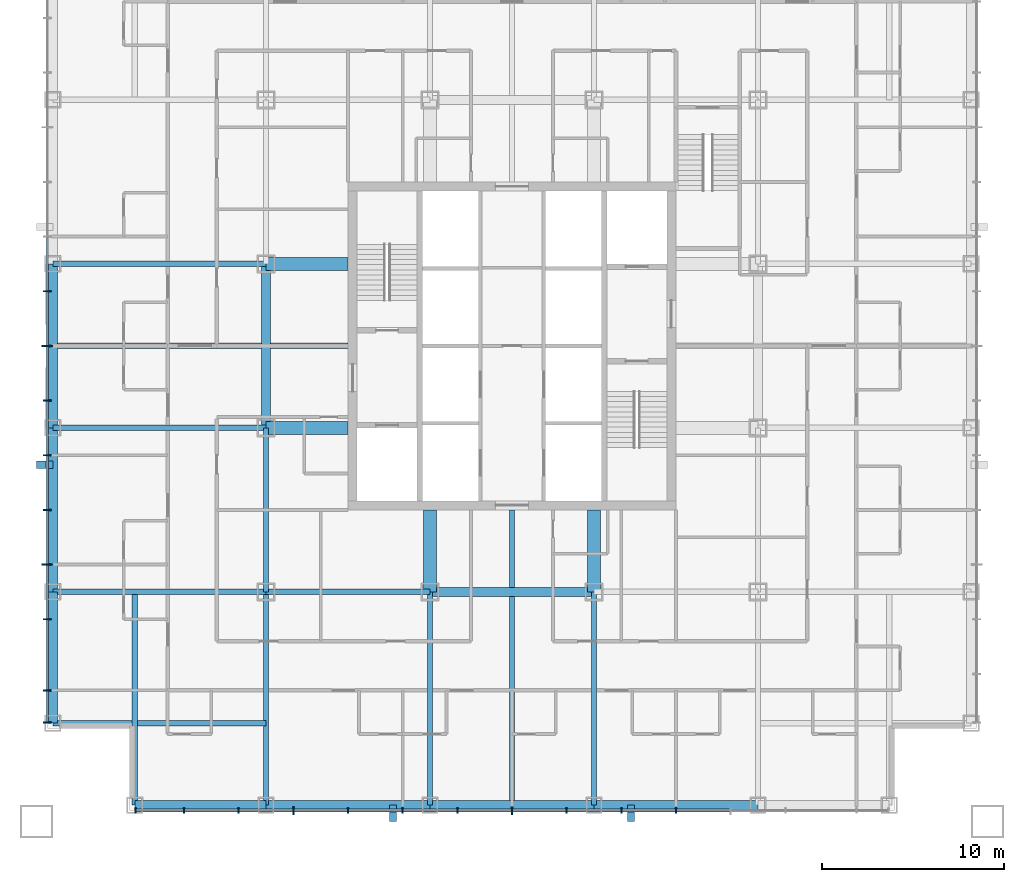
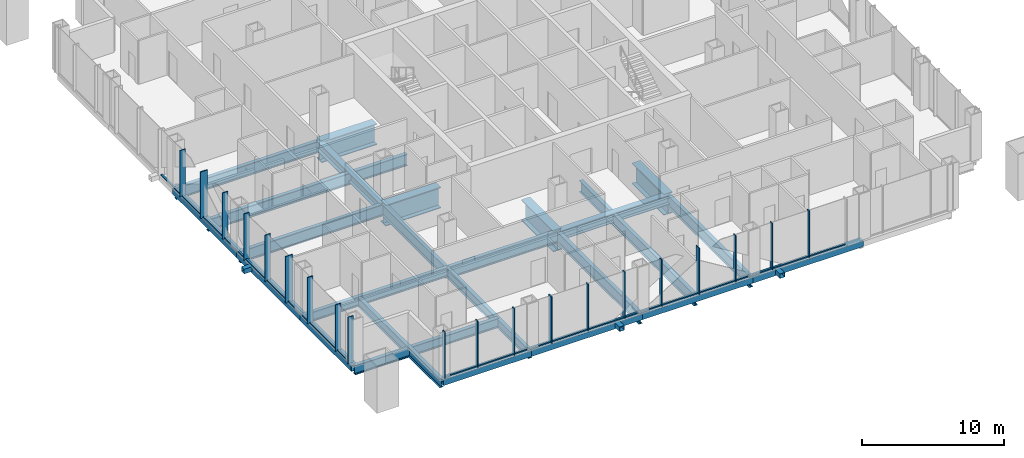
# One storey, part 2 of 13: 43 members, 25 beams, 2 elements without a shape of their own.
"""IFC4 building model written with IfcOpenShell, lengths in metres."""

from ifc_helpers import new_model, si_unit, direction, frame, origin, origin_2d, place, context, subcontext, project, spatial, rectangle, hollow_rectangle, i_section, extrude, material, layer, layer_set, material_profile, profile_set, type_object, element, aggregate, save


model = new_model("IFC4")

# Units and contexts
model_context = context("Model", 3, precision=1e-05, world=origin(), true_north=direction((0.0, 1.0)))
body_context = subcontext(model_context, "Body", "Model", "MODEL_VIEW")
ifc_project = project(units=[si_unit("LENGTHUNIT", "METRE"), si_unit("AREAUNIT", "SQUARE_METRE"), si_unit("VOLUMEUNIT", "CUBIC_METRE"), si_unit("PLANEANGLEUNIT", "RADIAN"), si_unit("MASSUNIT", "GRAM", prefix="KILO")], contexts=[model_context])

# Site, building, storey
site_placement = place(None, origin())
site = spatial("IfcSite", under=ifc_project, at=site_placement, CompositionType="ELEMENT")
building_placement = place(site_placement, origin())
building = spatial("IfcBuilding", under=site, at=building_placement, Name="Malebo Sky Hospital", CompositionType="ELEMENT")
storey_placement = place(building_placement, frame((0.0, 0.0, 75.0)))
storey = spatial("IfcBuildingStorey", under=building, at=storey_placement, Name="L17", CompositionType="ELEMENT", Elevation=75.0)

# Curtain wall, members
ifc_material_1 = material(Name="Anodised aluminium, natural silver", Category="aluminium")
ifc_layer_1 = layer(ifc_material_1, 0.25)
ifc_layer_set_1 = layer_set([ifc_layer_1], Name="WARD CURTAIN WALL EAST AND WEST")
curtain_wall_type_1 = type_object("IfcCurtainWallType", Name="WARD CURTAIN WALL EAST AND WEST", PredefinedType="NOTDEFINED", material=ifc_layer_set_1)
curtain_wall_1_placement = place(storey_placement, origin())
curtain_wall_1 = element("IfcCurtainWall", 1, at=curtain_wall_1_placement, inside=storey, type_object=curtain_wall_type_1, Name="EW curtain wall W", PredefinedType="NOTDEFINED")
ifc_material_profile_1 = material_profile(ifc_material_1, rectangle(XDim=0.14990234375, YDim=0.10009765625, at=origin_2d()), Name="ALUMINIUM TRANSOM 150x100")
ifc_profile_set_1 = profile_set([ifc_material_profile_1], Name="Anodised aluminium, natural silver")
member_type_1 = type_object("IfcMemberType", Name="ALUMINIUM TRANSOM 150x100", PredefinedType="USERDEFINED", material=ifc_profile_set_1)
member_1_placement = place(storey_placement, frame((34.5, 41.375, 0.050048828125), z_axis=(0.0, 1.0, 0.0), x_axis=(-1.0, 0.0, 0.0)))
member_1 = element("IfcMember", 2, at=member_1_placement, type_object=member_type_1, Name="Transom 1", ObjectType="TRANSOM", PredefinedType="USERDEFINED", context=body_context, shape_type="SweptSolid", body=[
    extrude(rectangle(XDim=0.14990234375, YDim=0.10009765625, at=origin_2d()), origin(), (0.0, 0.0, 1.0), 1.6875),
])
member_2_placement = place(storey_placement, frame((34.5, 43.137451171875, 0.050048828125), z_axis=(0.0, 1.0, 0.0), x_axis=(-1.0, 0.0, 0.0)))
member_2 = element("IfcMember", 3, at=member_2_placement, type_object=member_type_1, Name="Transom 2", ObjectType="TRANSOM", PredefinedType="USERDEFINED", context=body_context, shape_type="SweptSolid", body=[
    extrude(rectangle(XDim=0.14990234375, YDim=0.10009765625, at=origin_2d()), origin(), (0.0, 0.0, 1.0), 3.824951171875),
])
member_3_placement = place(storey_placement, frame((34.5, 47.03759765625, 0.050048828125), z_axis=(0.0, 1.0, 0.0), x_axis=(-1.0, 0.0, 0.0)))
member_3 = element("IfcMember", 4, at=member_3_placement, type_object=member_type_1, Name="Transom 3", ObjectType="TRANSOM", PredefinedType="USERDEFINED", context=body_context, shape_type="SweptSolid", body=[
    extrude(rectangle(XDim=0.14990234375, YDim=0.10009765625, at=origin_2d()), origin(), (0.0, 0.0, 1.0), 2.9248046875),
])
member_4_placement = place(storey_placement, frame((34.5, 50.03759765625, 0.050048828125), z_axis=(0.0, 1.0, 0.0), x_axis=(-1.0, 0.0, 0.0)))
member_4 = element("IfcMember", 5, at=member_4_placement, type_object=member_type_1, Name="Transom 4", ObjectType="TRANSOM", PredefinedType="USERDEFINED", context=body_context, shape_type="SweptSolid", body=[
    extrude(rectangle(XDim=0.14990234375, YDim=0.10009765625, at=origin_2d()), origin(), (0.0, 0.0, 1.0), 2.9248046875),
])
member_5_placement = place(storey_placement, frame((34.5, 53.03759765625, 0.050048828125), z_axis=(0.0, 1.0, 0.0), x_axis=(-1.0, 0.0, 0.0)))
member_5 = element("IfcMember", 6, at=member_5_placement, type_object=member_type_1, Name="Transom 5", ObjectType="TRANSOM", PredefinedType="USERDEFINED", context=body_context, shape_type="SweptSolid", body=[
    extrude(rectangle(XDim=0.14990234375, YDim=0.10009765625, at=origin_2d()), origin(), (0.0, 0.0, 1.0), 2.9248046875),
])
member_6_placement = place(storey_placement, frame((34.5, 56.03759765625, 0.050048828125), z_axis=(0.0, 1.0, 0.0), x_axis=(-1.0, 0.0, 0.0)))
member_6 = element("IfcMember", 7, at=member_6_placement, type_object=member_type_1, Name="Transom 6", ObjectType="TRANSOM", PredefinedType="USERDEFINED", context=body_context, shape_type="SweptSolid", body=[
    extrude(rectangle(XDim=0.14990234375, YDim=0.10009765625, at=origin_2d()), origin(), (0.0, 0.0, 1.0), 2.9248046875),
])
member_7_placement = place(storey_placement, frame((34.5, 59.03759765625, 0.050048828125), z_axis=(0.0, 1.0, 0.0), x_axis=(-1.0, 0.0, 0.0)))
member_7 = element("IfcMember", 8, at=member_7_placement, type_object=member_type_1, Name="Transom 7", ObjectType="TRANSOM", PredefinedType="USERDEFINED", context=body_context, shape_type="SweptSolid", body=[
    extrude(rectangle(XDim=0.14990234375, YDim=0.10009765625, at=origin_2d()), origin(), (0.0, 0.0, 1.0), 2.9248046875),
])
member_8_placement = place(storey_placement, frame((34.5, 62.03759765625, 0.050048828125), z_axis=(0.0, 1.0, 0.0), x_axis=(-1.0, 0.0, 0.0)))
member_8 = element("IfcMember", 9, at=member_8_placement, type_object=member_type_1, Name="Transom 8", ObjectType="TRANSOM", PredefinedType="USERDEFINED", context=body_context, shape_type="SweptSolid", body=[
    extrude(rectangle(XDim=0.14990234375, YDim=0.10009765625, at=origin_2d()), origin(), (0.0, 0.0, 1.0), 2.9248046875),
])
member_9_placement = place(storey_placement, frame((34.5, 65.03759765625, 0.050048828125), z_axis=(0.0, 1.0, 0.0), x_axis=(-1.0, 0.0, 0.0)))
member_9 = element("IfcMember", 10, at=member_9_placement, type_object=member_type_1, Name="Transom 9", ObjectType="TRANSOM", PredefinedType="USERDEFINED", context=body_context, shape_type="SweptSolid", body=[
    extrude(rectangle(XDim=0.14990234375, YDim=0.10009765625, at=origin_2d()), origin(), (0.0, 0.0, 1.0), 2.9248046875),
])

ifc_layer_2 = layer(ifc_material_1, 0.25)
ifc_layer_set_2 = layer_set([ifc_layer_2], Name="WARD CURTAIN WALL NORTH AND SOUTH")
curtain_wall_type_2 = type_object("IfcCurtainWallType", Name="WARD CURTAIN WALL NORTH AND SOUTH", PredefinedType="NOTDEFINED", material=ifc_layer_set_2)
curtain_wall_2_placement = place(storey_placement, origin())
curtain_wall_2 = element("IfcCurtainWall", 11, at=curtain_wall_2_placement, inside=storey, type_object=curtain_wall_type_2, Name="NS curtain wall S", PredefinedType="NOTDEFINED")
member_10_placement = place(storey_placement, frame((71.96240234375, 36.5, 0.050048828125), z_axis=(-1.0, 0.0, 0.0), x_axis=(0.0, -1.0, 0.0)))
member_10 = element("IfcMember", 12, at=member_10_placement, type_object=member_type_1, Name="Transom 4", ObjectType="TRANSOM", PredefinedType="USERDEFINED", context=body_context, shape_type="SweptSolid", body=[
    extrude(rectangle(XDim=0.14990234375, YDim=0.10009765625, at=origin_2d()), origin(), (0.0, 0.0, 1.0), 2.9248046875),
])
member_11_placement = place(storey_placement, frame((68.96240234375, 36.5, 0.050048828125), z_axis=(-1.0, 0.0, 0.0), x_axis=(0.0, -1.0, 0.0)))
member_11 = element("IfcMember", 13, at=member_11_placement, type_object=member_type_1, Name="Transom 5", ObjectType="TRANSOM", PredefinedType="USERDEFINED", context=body_context, shape_type="SweptSolid", body=[
    extrude(rectangle(XDim=0.14990234375, YDim=0.10009765625, at=origin_2d()), origin(), (0.0, 0.0, 1.0), 2.9248046875),
])
member_12_placement = place(storey_placement, frame((65.96240234375, 36.5, 0.050048828125), z_axis=(-1.0, 0.0, 0.0), x_axis=(0.0, -1.0, 0.0)))
member_12 = element("IfcMember", 14, at=member_12_placement, type_object=member_type_1, Name="Transom 6", ObjectType="TRANSOM", PredefinedType="USERDEFINED", context=body_context, shape_type="SweptSolid", body=[
    extrude(rectangle(XDim=0.14990234375, YDim=0.10009765625, at=origin_2d()), origin(), (0.0, 0.0, 1.0), 2.9248046875),
])
member_13_placement = place(storey_placement, frame((62.96240234375, 36.5, 0.050048828125), z_axis=(-1.0, 0.0, 0.0), x_axis=(0.0, -1.0, 0.0)))
member_13 = element("IfcMember", 15, at=member_13_placement, type_object=member_type_1, Name="Transom 7", ObjectType="TRANSOM", PredefinedType="USERDEFINED", context=body_context, shape_type="SweptSolid", body=[
    extrude(rectangle(XDim=0.14990234375, YDim=0.10009765625, at=origin_2d()), origin(), (0.0, 0.0, 1.0), 2.9248046875),
])
member_14_placement = place(storey_placement, frame((59.96240234375, 36.5, 0.050048828125), z_axis=(-1.0, 0.0, 0.0), x_axis=(0.0, -1.0, 0.0)))
member_14 = element("IfcMember", 16, at=member_14_placement, type_object=member_type_1, Name="Transom 8", ObjectType="TRANSOM", PredefinedType="USERDEFINED", context=body_context, shape_type="SweptSolid", body=[
    extrude(rectangle(XDim=0.14990234375, YDim=0.10009765625, at=origin_2d()), origin(), (0.0, 0.0, 1.0), 2.9248046875),
])
member_15_placement = place(storey_placement, frame((56.96240234375, 36.5, 0.050048828125), z_axis=(-1.0, 0.0, 0.0), x_axis=(0.0, -1.0, 0.0)))
member_15 = element("IfcMember", 17, at=member_15_placement, type_object=member_type_1, Name="Transom 9", ObjectType="TRANSOM", PredefinedType="USERDEFINED", context=body_context, shape_type="SweptSolid", body=[
    extrude(rectangle(XDim=0.14990234375, YDim=0.10009765625, at=origin_2d()), origin(), (0.0, 0.0, 1.0), 2.9248046875),
])
member_16_placement = place(storey_placement, frame((53.96240234375, 36.5, 0.050048828125), z_axis=(-1.0, 0.0, 0.0), x_axis=(0.0, -1.0, 0.0)))
member_16 = element("IfcMember", 18, at=member_16_placement, type_object=member_type_1, Name="Transom 10", ObjectType="TRANSOM", PredefinedType="USERDEFINED", context=body_context, shape_type="SweptSolid", body=[
    extrude(rectangle(XDim=0.14990234375, YDim=0.10009765625, at=origin_2d()), origin(), (0.0, 0.0, 1.0), 2.9248046875),
])
member_17_placement = place(storey_placement, frame((50.96240234375, 36.5, 0.050048828125), z_axis=(-1.0, 0.0, 0.0), x_axis=(0.0, -1.0, 0.0)))
member_17 = element("IfcMember", 19, at=member_17_placement, type_object=member_type_1, Name="Transom 11", ObjectType="TRANSOM", PredefinedType="USERDEFINED", context=body_context, shape_type="SweptSolid", body=[
    extrude(rectangle(XDim=0.14990234375, YDim=0.10009765625, at=origin_2d()), origin(), (0.0, 0.0, 1.0), 2.9248046875),
])
member_18_placement = place(storey_placement, frame((47.96240234375, 36.5, 0.050048828125), z_axis=(-1.0, 0.0, 0.0), x_axis=(0.0, -1.0, 0.0)))
member_18 = element("IfcMember", 20, at=member_18_placement, type_object=member_type_1, Name="Transom 12", ObjectType="TRANSOM", PredefinedType="USERDEFINED", context=body_context, shape_type="SweptSolid", body=[
    extrude(rectangle(XDim=0.14990234375, YDim=0.10009765625, at=origin_2d()), origin(), (0.0, 0.0, 1.0), 2.9248046875),
])
member_19_placement = place(storey_placement, frame((44.96240234375, 36.5, 0.050048828125), z_axis=(-1.0, 0.0, 0.0), x_axis=(0.0, -1.0, 0.0)))
member_19 = element("IfcMember", 21, at=member_19_placement, type_object=member_type_1, Name="Transom 13", ObjectType="TRANSOM", PredefinedType="USERDEFINED", context=body_context, shape_type="SweptSolid", body=[
    extrude(rectangle(XDim=0.14990234375, YDim=0.10009765625, at=origin_2d()), origin(), (0.0, 0.0, 1.0), 2.9248046875),
])
member_20_placement = place(storey_placement, frame((41.96240234375, 36.5, 0.050048828125), z_axis=(-1.0, 0.0, 0.0), x_axis=(0.0, -1.0, 0.0)))
member_20 = element("IfcMember", 22, at=member_20_placement, type_object=member_type_1, Name="Transom 14", ObjectType="TRANSOM", PredefinedType="USERDEFINED", context=body_context, shape_type="SweptSolid", body=[
    extrude(rectangle(XDim=0.14990234375, YDim=0.10009765625, at=origin_2d()), origin(), (0.0, 0.0, 1.0), 2.58740234375),
])

# Members
ifc_material_2 = material(Name="Steel S355", Category="steel")
ifc_material_profile_2 = material_profile(ifc_material_2, hollow_rectangle(XDim=0.39990234375, YDim=0.39990234375, WallThickness=0.02001953125, at=origin_2d()), Name="SHS 400x20")
ifc_profile_set_2 = profile_set([ifc_material_profile_2], Name="Steel S355")
member_type_2 = type_object("IfcMemberType", Name="BRACE STRUT SHS 400x20", PredefinedType="STRUT", material=ifc_profile_set_2)
for number, where, z_axis, x_axis, name in (
    (23, (53.47509765625, 35.89990234375, -0.39990234375), (0.0, 1.0, 0.0), (-1.0, 0.0, 0.0), "Brace strut AS1 L17"),
    (24, (66.52490234375, 35.89990234375, -0.39990234375), (0.0, 1.0, 0.0), (-1.0, 0.0, 0.0), "Brace strut AS2 L17"),
    (25, (33.89990234375, 55.47509765625, -0.39990234375), (1.0, 0.0, 0.0), (0.0, 1.0, 0.0), "Brace strut AW2 L17"),
):
    element("IfcMember", number, at=place(storey_placement, frame(where, z_axis=z_axis, x_axis=x_axis)), inside=storey, type_object=member_type_2, Name=name, PredefinedType="STRUT", context=body_context, shape_type="SweptSolid", body=[
        extrude(hollow_rectangle(XDim=0.39990234375, YDim=0.39990234375, WallThickness=0.02001953125, at=origin_2d()), origin(), (0.0, 0.0, 1.0), 0.900146484375),
    ])

# Member
ifc_material_profile_3 = material_profile(ifc_material_1, rectangle(XDim=0.074951171875, YDim=0.300048828125, at=origin_2d()), Name="CW1 ALUMINIUM FIN MULLION 75x300")
ifc_profile_set_3 = profile_set([ifc_material_profile_3], Name="Anodised aluminium, natural silver")
member_type_3 = type_object("IfcMemberType", Name="CW1 ALUMINIUM FIN MULLION 75x300", PredefinedType="MULLION", material=ifc_profile_set_3)
member_21_placement = place(storey_placement, frame((69.0, 36.5, 0.0), z_axis=(0.0, 0.0, 1.0), x_axis=(-1.0, 0.0, 0.0)))
member_21 = element("IfcMember", 26, at=member_21_placement, type_object=member_type_3, Name="Fin mullion 5", PredefinedType="MULLION", context=body_context, shape_type="SweptSolid", body=[
    extrude(rectangle(XDim=0.074951171875, YDim=0.300048828125, at=origin_2d()), origin(), (0.0, 0.0, 1.0), 4.0),
])

member_22_placement = place(storey_placement, frame((66.0, 36.5, 0.0), z_axis=(0.0, 0.0, 1.0), x_axis=(-1.0, 0.0, 0.0)))
member_22 = element("IfcMember", 27, at=member_22_placement, type_object=member_type_3, Name="Fin mullion 6", PredefinedType="MULLION", context=body_context, shape_type="SweptSolid", body=[
    extrude(rectangle(XDim=0.074951171875, YDim=0.300048828125, at=origin_2d()), origin(), (0.0, 0.0, 1.0), 4.0),
])

member_23_placement = place(storey_placement, frame((63.0, 36.5, 0.0), z_axis=(0.0, 0.0, 1.0), x_axis=(-1.0, 0.0, 0.0)))
member_23 = element("IfcMember", 28, at=member_23_placement, type_object=member_type_3, Name="Fin mullion 7", PredefinedType="MULLION", context=body_context, shape_type="SweptSolid", body=[
    extrude(rectangle(XDim=0.074951171875, YDim=0.300048828125, at=origin_2d()), origin(), (0.0, 0.0, 1.0), 4.0),
])

member_24_placement = place(storey_placement, frame((57.0, 36.5, 0.0), z_axis=(0.0, 0.0, 1.0), x_axis=(-1.0, 0.0, 0.0)))
member_24 = element("IfcMember", 29, at=member_24_placement, type_object=member_type_3, Name="Fin mullion 9", PredefinedType="MULLION", context=body_context, shape_type="SweptSolid", body=[
    extrude(rectangle(XDim=0.074951171875, YDim=0.300048828125, at=origin_2d()), origin(), (0.0, 0.0, 1.0), 4.0),
])

member_25_placement = place(storey_placement, frame((54.0, 36.5, 0.0), z_axis=(0.0, 0.0, 1.0), x_axis=(-1.0, 0.0, 0.0)))
member_25 = element("IfcMember", 30, at=member_25_placement, type_object=member_type_3, Name="Fin mullion 10", PredefinedType="MULLION", context=body_context, shape_type="SweptSolid", body=[
    extrude(rectangle(XDim=0.074951171875, YDim=0.300048828125, at=origin_2d()), origin(), (0.0, 0.0, 1.0), 4.0),
])

member_26_placement = place(storey_placement, frame((51.0, 36.5, 0.0), z_axis=(0.0, 0.0, 1.0), x_axis=(-1.0, 0.0, 0.0)))
member_26 = element("IfcMember", 31, at=member_26_placement, type_object=member_type_3, Name="Fin mullion 11", PredefinedType="MULLION", context=body_context, shape_type="SweptSolid", body=[
    extrude(rectangle(XDim=0.074951171875, YDim=0.300048828125, at=origin_2d()), origin(), (0.0, 0.0, 1.0), 4.0),
])

member_27_placement = place(storey_placement, frame((45.0, 36.5, 0.0), z_axis=(0.0, 0.0, 1.0), x_axis=(-1.0, 0.0, 0.0)))
member_27 = element("IfcMember", 32, at=member_27_placement, type_object=member_type_3, Name="Fin mullion 13", PredefinedType="MULLION", context=body_context, shape_type="SweptSolid", body=[
    extrude(rectangle(XDim=0.074951171875, YDim=0.300048828125, at=origin_2d()), origin(), (0.0, 0.0, 1.0), 4.0),
])

member_28_placement = place(storey_placement, frame((42.0, 36.5, 0.0), z_axis=(0.0, 0.0, 1.0), x_axis=(-1.0, 0.0, 0.0)))
member_28 = element("IfcMember", 33, at=member_28_placement, type_object=member_type_3, Name="Fin mullion 14", PredefinedType="MULLION", context=body_context, shape_type="SweptSolid", body=[
    extrude(rectangle(XDim=0.074951171875, YDim=0.300048828125, at=origin_2d()), origin(), (0.0, 0.0, 1.0), 4.0),
])

member_29_placement = place(storey_placement, frame((39.33740234375, 36.5, 0.0), z_axis=(0.0, 0.0, 1.0), x_axis=(-1.0, 0.0, 0.0)))
member_29 = element("IfcMember", 34, at=member_29_placement, type_object=member_type_3, Name="Fin mullion 15", PredefinedType="MULLION", context=body_context, shape_type="SweptSolid", body=[
    extrude(rectangle(XDim=0.074951171875, YDim=0.300048828125, at=origin_2d()), origin(), (0.0, 0.0, 1.0), 4.0),
])

ifc_material_profile_4 = material_profile(ifc_material_1, rectangle(XDim=0.074951171875, YDim=0.449951171875, at=origin_2d()), Name="CW1 ALUMINIUM FIN MULLION 75x450")
ifc_profile_set_4 = profile_set([ifc_material_profile_4], Name="Anodised aluminium, natural silver")
member_type_4 = type_object("IfcMemberType", Name="CW1 ALUMINIUM FIN MULLION 75x450", PredefinedType="MULLION", material=ifc_profile_set_4)
member_30_placement = place(storey_placement, frame((60.0, 36.5, 0.0), z_axis=(0.0, 0.0, 1.0), x_axis=(-1.0, 0.0, 0.0)))
member_30 = element("IfcMember", 35, at=member_30_placement, type_object=member_type_4, Name="Fin mullion 8", PredefinedType="MULLION", context=body_context, shape_type="SweptSolid", body=[
    extrude(rectangle(XDim=0.074951171875, YDim=0.449951171875, at=origin_2d()), origin(), (0.0, 0.0, 1.0), 4.0),
])

member_31_placement = place(storey_placement, frame((48.0, 36.5, 0.0), z_axis=(0.0, 0.0, 1.0), x_axis=(-1.0, 0.0, 0.0)))
member_31 = element("IfcMember", 36, at=member_31_placement, type_object=member_type_4, Name="Fin mullion 12", PredefinedType="MULLION", context=body_context, shape_type="SweptSolid", body=[
    extrude(rectangle(XDim=0.074951171875, YDim=0.449951171875, at=origin_2d()), origin(), (0.0, 0.0, 1.0), 4.0),
])

aggregate(curtain_wall_2, [member_21, member_22, member_23, member_30, member_24, member_25, member_26, member_31, member_27, member_28, member_29, member_10, member_11, member_12, member_13, member_14, member_15, member_16, member_17, member_18, member_19, member_20])

ifc_material_profile_5 = material_profile(ifc_material_1, rectangle(XDim=0.074951171875, YDim=0.449951171875, at=origin_2d()), Name="CW2 ALUMINIUM FIN MULLION 75x450")
ifc_profile_set_5 = profile_set([ifc_material_profile_5], Name="Anodised aluminium, natural silver")
member_type_5 = type_object("IfcMemberType", Name="CW2 ALUMINIUM FIN MULLION 75x450", PredefinedType="MULLION", material=ifc_profile_set_5)
member_32_placement = place(storey_placement, frame((34.5, 41.33740234375, 0.0), z_axis=(0.0, 0.0, 1.0), x_axis=(0.0, 1.0, 0.0)))
member_32 = element("IfcMember", 37, at=member_32_placement, type_object=member_type_5, Name="Fin mullion 1", PredefinedType="MULLION", context=body_context, shape_type="SweptSolid", body=[
    extrude(rectangle(XDim=0.074951171875, YDim=0.449951171875, at=origin_2d()), origin(), (0.0, 0.0, 1.0), 4.0),
])

member_33_placement = place(storey_placement, frame((34.5, 43.10009765625, 0.0), z_axis=(0.0, 0.0, 1.0), x_axis=(0.0, 1.0, 0.0)))
member_33 = element("IfcMember", 38, at=member_33_placement, type_object=member_type_5, Name="Fin mullion 2", PredefinedType="MULLION", context=body_context, shape_type="SweptSolid", body=[
    extrude(rectangle(XDim=0.074951171875, YDim=0.449951171875, at=origin_2d()), origin(), (0.0, 0.0, 1.0), 4.0),
])

member_34_placement = place(storey_placement, frame((34.5, 47.0, 0.0), z_axis=(0.0, 0.0, 1.0), x_axis=(0.0, 1.0, 0.0)))
member_34 = element("IfcMember", 39, at=member_34_placement, type_object=member_type_5, Name="Fin mullion 3", PredefinedType="MULLION", context=body_context, shape_type="SweptSolid", body=[
    extrude(rectangle(XDim=0.074951171875, YDim=0.449951171875, at=origin_2d()), origin(), (0.0, 0.0, 1.0), 4.0),
])

member_35_placement = place(storey_placement, frame((34.5, 53.0, 0.0), z_axis=(0.0, 0.0, 1.0), x_axis=(0.0, 1.0, 0.0)))
member_35 = element("IfcMember", 40, at=member_35_placement, type_object=member_type_5, Name="Fin mullion 5", PredefinedType="MULLION", context=body_context, shape_type="SweptSolid", body=[
    extrude(rectangle(XDim=0.074951171875, YDim=0.449951171875, at=origin_2d()), origin(), (0.0, 0.0, 1.0), 4.0),
])

member_36_placement = place(storey_placement, frame((34.5, 56.0, 0.0), z_axis=(0.0, 0.0, 1.0), x_axis=(0.0, 1.0, 0.0)))
member_36 = element("IfcMember", 41, at=member_36_placement, type_object=member_type_5, Name="Fin mullion 6", PredefinedType="MULLION", context=body_context, shape_type="SweptSolid", body=[
    extrude(rectangle(XDim=0.074951171875, YDim=0.449951171875, at=origin_2d()), origin(), (0.0, 0.0, 1.0), 4.0),
])

member_37_placement = place(storey_placement, frame((34.5, 59.0, 0.0), z_axis=(0.0, 0.0, 1.0), x_axis=(0.0, 1.0, 0.0)))
member_37 = element("IfcMember", 42, at=member_37_placement, type_object=member_type_5, Name="Fin mullion 7", PredefinedType="MULLION", context=body_context, shape_type="SweptSolid", body=[
    extrude(rectangle(XDim=0.074951171875, YDim=0.449951171875, at=origin_2d()), origin(), (0.0, 0.0, 1.0), 4.0),
])

member_38_placement = place(storey_placement, frame((34.5, 65.0, 0.0), z_axis=(0.0, 0.0, 1.0), x_axis=(0.0, 1.0, 0.0)))
member_38 = element("IfcMember", 43, at=member_38_placement, type_object=member_type_5, Name="Fin mullion 9", PredefinedType="MULLION", context=body_context, shape_type="SweptSolid", body=[
    extrude(rectangle(XDim=0.074951171875, YDim=0.449951171875, at=origin_2d()), origin(), (0.0, 0.0, 1.0), 4.0),
])

ifc_material_profile_6 = material_profile(ifc_material_1, rectangle(XDim=0.074951171875, YDim=0.60009765625, at=origin_2d()), Name="CW2 ALUMINIUM FIN MULLION 75x600")
ifc_profile_set_6 = profile_set([ifc_material_profile_6], Name="Anodised aluminium, natural silver")
member_type_6 = type_object("IfcMemberType", Name="CW2 ALUMINIUM FIN MULLION 75x600", PredefinedType="MULLION", material=ifc_profile_set_6)
member_39_placement = place(storey_placement, frame((34.5, 50.0, 0.0), z_axis=(0.0, 0.0, 1.0), x_axis=(0.0, 1.0, 0.0)))
member_39 = element("IfcMember", 44, at=member_39_placement, type_object=member_type_6, Name="Fin mullion 4", PredefinedType="MULLION", context=body_context, shape_type="SweptSolid", body=[
    extrude(rectangle(XDim=0.074951171875, YDim=0.60009765625, at=origin_2d()), origin(), (0.0, 0.0, 1.0), 4.0),
])

member_40_placement = place(storey_placement, frame((34.5, 62.0, 0.0), z_axis=(0.0, 0.0, 1.0), x_axis=(0.0, 1.0, 0.0)))
member_40 = element("IfcMember", 45, at=member_40_placement, type_object=member_type_6, Name="Fin mullion 8", PredefinedType="MULLION", context=body_context, shape_type="SweptSolid", body=[
    extrude(rectangle(XDim=0.074951171875, YDim=0.60009765625, at=origin_2d()), origin(), (0.0, 0.0, 1.0), 4.0),
])

aggregate(curtain_wall_1, [member_32, member_33, member_34, member_39, member_35, member_36, member_37, member_40, member_38, member_1, member_2, member_3, member_4, member_5, member_6, member_7, member_8, member_9])

# Beams
ifc_material_3 = material(Name="Steel S460", Category="steel")
ifc_material_profile_7 = material_profile(ifc_material_3, hollow_rectangle(XDim=0.5, YDim=0.5, WallThickness=0.030029296875, at=origin_2d()), Name="BOX 500x500x30")
ifc_profile_set_7 = profile_set([ifc_material_profile_7], Name="Steel S460")
beam_type_1 = type_object("IfcBeamType", Name="EDGE BEAM BOX 500x500x30", PredefinedType="BEAM", material=ifc_profile_set_7)
beam_1_placement = place(storey_placement, frame((34.800048828125, 41.300048828125, -0.5), z_axis=(0.0, 1.0, 0.0), x_axis=(-1.0, 0.0, 0.0)))
element("IfcBeam", 46, at=beam_1_placement, inside=storey, type_object=beam_type_1, Name="Beam 000 L17", PredefinedType="BEAM", context=body_context, shape_type="SweptSolid", body=[
    extrude(hollow_rectangle(XDim=0.5, YDim=0.5, WallThickness=0.030029296875, at=origin_2d()), origin(), (0.0, 0.0, 1.0), 7.199951171875),
])
for number, where, z_axis, x_axis, name in (
    (47, (34.800048828125, 48.5, -0.5), (0.0, 1.0, 0.0), (-1.0, 0.0, 0.0), "Beam 001 L17"),
    (48, (34.800048828125, 57.5, -0.5), (0.0, 1.0, 0.0), (-1.0, 0.0, 0.0), "Beam 002 L17"),
):
    element("IfcBeam", number, at=place(storey_placement, frame(where, z_axis=z_axis, x_axis=x_axis)), inside=storey, type_object=beam_type_1, Name=name, PredefinedType="BEAM", context=body_context, shape_type="SweptSolid", body=[
        extrude(hollow_rectangle(XDim=0.5, YDim=0.5, WallThickness=0.030029296875, at=origin_2d()), origin(), (0.0, 0.0, 1.0), 9.0),
    ])
beam_2_placement = place(storey_placement, frame((39.300048828125, 36.800048828125, -0.5), z_axis=(1.0, 0.0, 0.0), x_axis=(0.0, 1.0, 0.0)))
element("IfcBeam", 49, at=beam_2_placement, inside=storey, type_object=beam_type_1, Name="Beam 034 L17", PredefinedType="BEAM", context=body_context, shape_type="SweptSolid", body=[
    extrude(hollow_rectangle(XDim=0.5, YDim=0.5, WallThickness=0.030029296875, at=origin_2d()), origin(), (0.0, 0.0, 1.0), 7.199951171875),
])
for number, where, z_axis, x_axis, name in (
    (50, (46.5, 36.800048828125, -0.5), (1.0, 0.0, 0.0), (0.0, 1.0, 0.0), "Beam 035 L17"),
    (51, (55.5, 36.800048828125, -0.5), (1.0, 0.0, 0.0), (0.0, 1.0, 0.0), "Beam 036 L17"),
    (52, (64.5, 36.800048828125, -0.5), (1.0, 0.0, 0.0), (0.0, 1.0, 0.0), "Beam 037 L17"),
):
    element("IfcBeam", number, at=place(storey_placement, frame(where, z_axis=z_axis, x_axis=x_axis)), inside=storey, type_object=beam_type_1, Name=name, PredefinedType="BEAM", context=body_context, shape_type="SweptSolid", body=[
        extrude(hollow_rectangle(XDim=0.5, YDim=0.5, WallThickness=0.030029296875, at=origin_2d()), origin(), (0.0, 0.0, 1.0), 9.0),
    ])
ifc_material_profile_8 = material_profile(ifc_material_2, i_section(OverallWidth=0.300048828125, OverallDepth=1.0, WebThickness=0.01904296875, FlangeThickness=0.035888671875, FilletRadius=0.030029296875, at=origin_2d()), Name="HEB 1000")
ifc_profile_set_8 = profile_set([ifc_material_profile_8], Name="Steel S355")
beam_type_2 = type_object("IfcBeamType", Name="FLOOR BEAM HEB 1000", PredefinedType="BEAM", material=ifc_profile_set_8)
beam_3_placement = place(storey_placement, frame((46.5, 48.5, -0.75), z_axis=(0.0, 1.0, 0.0), x_axis=(-1.0, 0.0, 0.0)))
element("IfcBeam", 53, at=beam_3_placement, inside=storey, type_object=beam_type_2, Name="Beam 008 L17", PredefinedType="BEAM", context=body_context, shape_type="SweptSolid", body=[
    extrude(i_section(OverallWidth=0.300048828125, OverallDepth=1.0, WebThickness=0.01904296875, FlangeThickness=0.035888671875, FilletRadius=0.030029296875, at=origin_2d()), origin(), (0.0, 0.0, 1.0), 9.0),
])
beam_4_placement = place(storey_placement, frame((55.5, 36.800048828125, -0.75), z_axis=(0.0, 1.0, 0.0), x_axis=(-1.0, 0.0, 0.0)))
element("IfcBeam", 54, at=beam_4_placement, inside=storey, type_object=beam_type_2, Name="Beam 012 L17", PredefinedType="BEAM", context=body_context, shape_type="SweptSolid", body=[
    extrude(i_section(OverallWidth=0.300048828125, OverallDepth=1.0, WebThickness=0.01904296875, FlangeThickness=0.035888671875, FilletRadius=0.030029296875, at=origin_2d()), origin(), (0.0, 0.0, 1.0), 11.699951171875),
])
beam_5_placement = place(storey_placement, frame((60.0, 36.800048828125, -0.75), z_axis=(0.0, 1.0, 0.0), x_axis=(-1.0, 0.0, 0.0)))
element("IfcBeam", 55, at=beam_5_placement, inside=storey, type_object=beam_type_2, Name="Beam 016 L17", PredefinedType="BEAM", context=body_context, shape_type="SweptSolid", body=[
    extrude(i_section(OverallWidth=0.300048828125, OverallDepth=1.0, WebThickness=0.01904296875, FlangeThickness=0.035888671875, FilletRadius=0.030029296875, at=origin_2d()), origin(), (0.0, 0.0, 1.0), 16.199951171875),
])
beam_6_placement = place(storey_placement, frame((64.5, 36.800048828125, -0.75), z_axis=(0.0, 1.0, 0.0), x_axis=(-1.0, 0.0, 0.0)))
element("IfcBeam", 56, at=beam_6_placement, inside=storey, type_object=beam_type_2, Name="Beam 018 L17", PredefinedType="BEAM", context=body_context, shape_type="SweptSolid", body=[
    extrude(i_section(OverallWidth=0.300048828125, OverallDepth=1.0, WebThickness=0.01904296875, FlangeThickness=0.035888671875, FilletRadius=0.030029296875, at=origin_2d()), origin(), (0.0, 0.0, 1.0), 11.699951171875),
])
beam_7_placement = place(storey_placement, frame((46.5, 48.5, -0.75), z_axis=(1.0, 0.0, 0.0), x_axis=(0.0, 1.0, 0.0)))
element("IfcBeam", 57, at=beam_7_placement, inside=storey, type_object=beam_type_2, Name="Beam 042 L17", PredefinedType="BEAM", context=body_context, shape_type="SweptSolid", body=[
    extrude(i_section(OverallWidth=0.300048828125, OverallDepth=1.0, WebThickness=0.01904296875, FlangeThickness=0.035888671875, FilletRadius=0.030029296875, at=origin_2d()), origin(), (0.0, 0.0, 1.0), 9.0),
])
beam_8_placement = place(storey_placement, frame((34.800048828125, 57.5, -0.75), z_axis=(1.0, 0.0, 0.0), x_axis=(0.0, 1.0, 0.0)))
element("IfcBeam", 58, at=beam_8_placement, inside=storey, type_object=beam_type_2, Name="Beam 046 L17", PredefinedType="BEAM", context=body_context, shape_type="SweptSolid", body=[
    extrude(i_section(OverallWidth=0.300048828125, OverallDepth=1.0, WebThickness=0.01904296875, FlangeThickness=0.035888671875, FilletRadius=0.030029296875, at=origin_2d()), origin(), (0.0, 0.0, 1.0), 11.699951171875),
])
beam_9_placement = place(storey_placement, frame((34.800048828125, 62.0, -0.75), z_axis=(1.0, 0.0, 0.0), x_axis=(0.0, 1.0, 0.0)))
element("IfcBeam", 59, at=beam_9_placement, inside=storey, type_object=beam_type_2, Name="Beam 050 L17", PredefinedType="BEAM", context=body_context, shape_type="SweptSolid", body=[
    extrude(i_section(OverallWidth=0.300048828125, OverallDepth=1.0, WebThickness=0.01904296875, FlangeThickness=0.035888671875, FilletRadius=0.030029296875, at=origin_2d()), origin(), (0.0, 0.0, 1.0), 16.199951171875),
])
beam_10_placement = place(storey_placement, frame((34.800048828125, 66.5, -0.75), z_axis=(1.0, 0.0, 0.0), x_axis=(0.0, 1.0, 0.0)))
element("IfcBeam", 60, at=beam_10_placement, inside=storey, type_object=beam_type_2, Name="Beam 052 L17", PredefinedType="BEAM", context=body_context, shape_type="SweptSolid", body=[
    extrude(i_section(OverallWidth=0.300048828125, OverallDepth=1.0, WebThickness=0.01904296875, FlangeThickness=0.035888671875, FilletRadius=0.030029296875, at=origin_2d()), origin(), (0.0, 0.0, 1.0), 11.699951171875),
])
ifc_material_profile_9 = material_profile(ifc_material_2, i_section(OverallWidth=0.300048828125, OverallDepth=0.800048828125, WebThickness=0.017578125, FlangeThickness=0.032958984375, FilletRadius=0.030029296875, at=origin_2d()), Name="HEB 800")
ifc_profile_set_9 = profile_set([ifc_material_profile_9], Name="Steel S355")
beam_type_3 = type_object("IfcBeamType", Name="FLOOR BEAM HEB 800", PredefinedType="BEAM", material=ifc_profile_set_9)
for number, where, z_axis, x_axis, name in (
    (61, (39.300048828125, 36.800048828125, -0.64990234375), (0.0, 1.0, 0.0), (-1.0, 0.0, 0.0), "Beam 005 L17"),
    (62, (34.800048828125, 41.300048828125, -0.64990234375), (1.0, 0.0, 0.0), (0.0, 1.0, 0.0), "Beam 039 L17"),
):
    element("IfcBeam", number, at=place(storey_placement, frame(where, z_axis=z_axis, x_axis=x_axis)), inside=storey, type_object=beam_type_3, Name=name, PredefinedType="BEAM", context=body_context, shape_type="SweptSolid", body=[
        extrude(i_section(OverallWidth=0.300048828125, OverallDepth=0.800048828125, WebThickness=0.017578125, FlangeThickness=0.032958984375, FilletRadius=0.030029296875, at=origin_2d()), origin(), (0.0, 0.0, 1.0), 11.699951171875),
    ])
ifc_material_profile_10 = material_profile(ifc_material_2, i_section(OverallWidth=0.699951171875, OverallDepth=1.800048828125, WebThickness=0.034912109375, FlangeThickness=0.070068359375, at=origin_2d()), Name="PG 1800x700x35x70")
ifc_profile_set_10 = profile_set([ifc_material_profile_10], Name="Steel S355")
beam_type_4 = type_object("IfcBeamType", Name="FLOOR BEAM PG 1800x700x35x70", PredefinedType="BEAM", material=ifc_profile_set_10)
for number, where, z_axis, x_axis, name in (
    (63, (55.5, 48.5, -1.14990234375), (0.0, 1.0, 0.0), (-1.0, 0.0, 0.0), "Beam 013 L17"),
    (64, (64.5, 48.5, -1.14990234375), (0.0, 1.0, 0.0), (-1.0, 0.0, 0.0), "Beam 019 L17"),
    (65, (46.5, 57.5, -1.14990234375), (1.0, 0.0, 0.0), (0.0, 1.0, 0.0), "Beam 047 L17"),
    (66, (46.5, 66.5, -1.14990234375), (1.0, 0.0, 0.0), (0.0, 1.0, 0.0), "Beam 053 L17"),
):
    element("IfcBeam", number, at=place(storey_placement, frame(where, z_axis=z_axis, x_axis=x_axis)), inside=storey, type_object=beam_type_4, Name=name, PredefinedType="BEAM", context=body_context, shape_type="SweptSolid", body=[
        extrude(i_section(OverallWidth=0.699951171875, OverallDepth=1.800048828125, WebThickness=0.034912109375, FlangeThickness=0.070068359375, at=origin_2d()), origin(), (0.0, 0.0, 1.0), 4.5),
    ])
ifc_material_profile_11 = material_profile(ifc_material_2, i_section(OverallWidth=0.300048828125, OverallDepth=0.800048828125, WebThickness=0.017578125, FlangeThickness=0.032958984375, FilletRadius=0.030029296875, at=origin_2d()), Name="HEB 800")
ifc_profile_set_11 = profile_set([ifc_material_profile_11], Name="Steel S355")
beam_type_5 = type_object("IfcBeamType", Name="FLOOR GIRDER HEB 800", PredefinedType="BEAM", material=ifc_profile_set_11)
for number, where, z_axis, x_axis, name in (
    (67, (46.5, 36.800048828125, -0.64990234375), (0.0, 1.0, 0.0), (-1.0, 0.0, 0.0), "Beam 007 L17"),
    (68, (34.800048828125, 48.5, -0.64990234375), (1.0, 0.0, 0.0), (0.0, 1.0, 0.0), "Beam 041 L17"),
):
    element("IfcBeam", number, at=place(storey_placement, frame(where, z_axis=z_axis, x_axis=x_axis)), inside=storey, type_object=beam_type_5, Name=name, PredefinedType="BEAM", context=body_context, shape_type="SweptSolid", body=[
        extrude(i_section(OverallWidth=0.300048828125, OverallDepth=0.800048828125, WebThickness=0.017578125, FlangeThickness=0.032958984375, FilletRadius=0.030029296875, at=origin_2d()), origin(), (0.0, 0.0, 1.0), 11.699951171875),
    ])
ifc_material_profile_12 = material_profile(ifc_material_2, i_section(OverallWidth=0.5, OverallDepth=0.800048828125, WebThickness=0.030029296875, FlangeThickness=0.050048828125, at=origin_2d()), Name="PG 800x500x30x50")
ifc_profile_set_12 = profile_set([ifc_material_profile_12], Name="Steel S355")
beam_type_6 = type_object("IfcBeamType", Name="RING GIRDER PG 800x500x30x50", PredefinedType="BEAM", material=ifc_profile_set_12)
for number, where, z_axis, x_axis, name in (
    (69, (46.5, 57.5, -0.64990234375), (0.0, 1.0, 0.0), (-1.0, 0.0, 0.0), "Beam 009 L17"),
    (70, (55.5, 48.5, -0.64990234375), (1.0, 0.0, 0.0), (0.0, 1.0, 0.0), "Beam 043 L17"),
):
    element("IfcBeam", number, at=place(storey_placement, frame(where, z_axis=z_axis, x_axis=x_axis)), inside=storey, type_object=beam_type_6, Name=name, PredefinedType="BEAM", context=body_context, shape_type="SweptSolid", body=[
        extrude(i_section(OverallWidth=0.5, OverallDepth=0.800048828125, WebThickness=0.030029296875, FlangeThickness=0.050048828125, at=origin_2d()), origin(), (0.0, 0.0, 1.0), 9.0),
    ])

save(model, "model.ifc")
